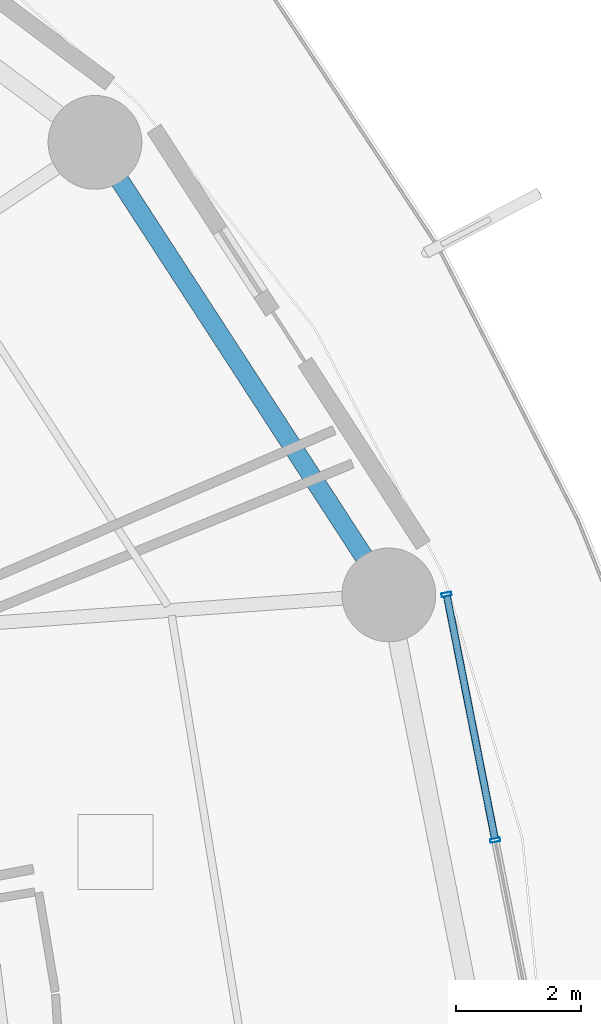
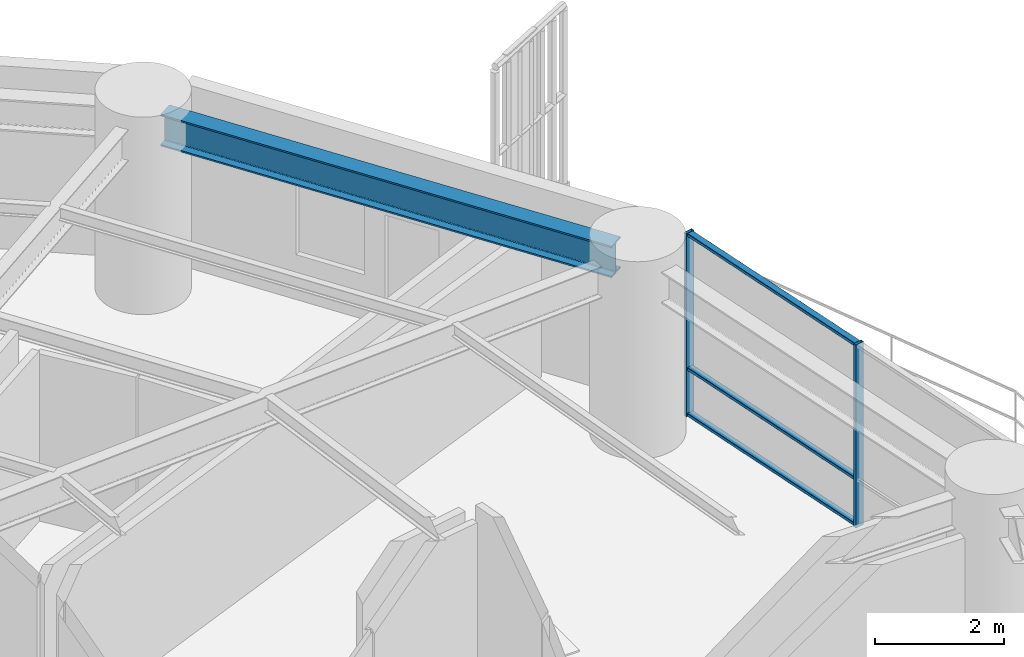
# One storey, part 20 of 33: 5 members, 1 beam, 1 element without a shape of its own.
"""IFC4 building model written with IfcOpenShell, lengths in metres."""

from ifc_helpers import new_model, si_unit, direction, frame, origin, origin_2d, place, context, subcontext, project, spatial, hollow_rectangle, i_section, extrude, material, layer, layer_set, material_profile, profile_set, type_object, element, aggregate, save


model = new_model("IFC4")

# Units and contexts
model_context = context("Model", 3, precision=1e-05, world=origin(), true_north=direction((0.0, 1.0)))
body_context = subcontext(model_context, "Body", "Model", "MODEL_VIEW")
ifc_project = project(units=[si_unit("LENGTHUNIT", "METRE"), si_unit("AREAUNIT", "SQUARE_METRE"), si_unit("VOLUMEUNIT", "CUBIC_METRE"), si_unit("PLANEANGLEUNIT", "RADIAN"), si_unit("MASSUNIT", "GRAM", prefix="KILO")], contexts=[model_context])

# Site, building, storey
site_placement = place(None, origin())
site = spatial("IfcSite", under=ifc_project, at=site_placement, CompositionType="ELEMENT")
building_placement = place(site_placement, origin())
building = spatial("IfcBuilding", under=site, at=building_placement, Name="Kelanora Arch Commons", CompositionType="ELEMENT")
storey_placement = place(building_placement, frame((0.0, 0.0, 26.25)))
storey = spatial("IfcBuildingStorey", under=building, at=storey_placement, Name="L06", CompositionType="ELEMENT", Elevation=26.25)

# Beam
ifc_material_1 = material(Name="Steel S355", Category="steel")
ifc_material_profile_1 = material_profile(ifc_material_1, i_section(OverallWidth=0.300048828125, OverallDepth=0.60009765625, WebThickness=0.015380859375, FlangeThickness=0.030029296875, FilletRadius=0.027099609375, at=origin_2d()), Name="HEB600")
ifc_profile_set_1 = profile_set([ifc_material_profile_1], Name="Steel S355")
beam_type = type_object("IfcBeamType", Name="BM-SPN-Z1", PredefinedType="SPANDREL", material=ifc_profile_set_1)
beam_placement = place(storey_placement, frame((99.239990234375, 66.554443359375, 3.18994140625), z_axis=(-0.54455786519, 0.838723274662, 0.0), x_axis=(-0.838723274662, -0.54455786519, 0.0)))
element("IfcBeam", 1, at=beam_placement, inside=storey, type_object=beam_type, Name="Perimeter Spandrel Beam BS-02 L06", PredefinedType="SPANDREL", context=body_context, shape_type="SweptSolid", body=[
    extrude(i_section(OverallWidth=0.300048828125, OverallDepth=0.60009765625, WebThickness=0.015380859375, FlangeThickness=0.030029296875, FilletRadius=0.027099609375, at=origin_2d()), origin(), (0.0, 0.0, 1.0), 7.875244140625),
])

# Curtain wall, members
ifc_material_2 = material(Name="Terracotta ceramic-fritted low-E glass and aluminium", Category="masonry")
ifc_layer = layer(ifc_material_2, 0.159912109375)
ifc_layer_set = layer_set([ifc_layer], Name="Terracotta ceramic-fritted low-E glass and aluminium")
curtain_wall_type = type_object("IfcCurtainWallType", Name="CW-SYS-01", PredefinedType="NOTDEFINED", material=ifc_layer_set)
curtain_wall_placement = place(storey_placement, origin())
curtain_wall = element("IfcCurtainWall", 2, at=curtain_wall_placement, inside=storey, type_object=curtain_wall_type, Name="Unitised Curtain Wall L06-B00", PredefinedType="NOTDEFINED")
ifc_material_3 = material(Name="Powder-coated aluminium terracotta", Category="masonry")
ifc_material_profile_2 = material_profile(ifc_material_3, hollow_rectangle(XDim=0.159912109375, YDim=0.06005859375, WallThickness=0.0048828125, InnerFilletRadius=0.0048828125, OuterFilletRadius=0.010009765625, at=origin_2d()), Name="CWM160x60")
ifc_profile_set_2 = profile_set([ifc_material_profile_2], Name="Powder-coated aluminium terracotta")
member_type_1 = type_object("IfcMemberType", Name="CWM-STD", PredefinedType="MULLION", material=ifc_profile_set_2)
member_1_placement = place(storey_placement, frame((101.1484375, 62.3115234375, 0.0), z_axis=(0.0, 0.0, 1.0), x_axis=(-0.981052110579, -0.193744048498, 0.0)))
member_1 = element("IfcMember", 3, at=member_1_placement, type_object=member_type_1, Name="CW-01 mullion 2", PredefinedType="MULLION", context=body_context, shape_type="SweptSolid", body=[
    extrude(hollow_rectangle(XDim=0.159912109375, YDim=0.06005859375, WallThickness=0.0048828125, InnerFilletRadius=0.0048828125, OuterFilletRadius=0.010009765625, at=origin_2d()), origin(), (0.0, 0.0, 1.0), 3.47509765625),
])
member_2_placement = place(storey_placement, frame((100.371826171875, 66.243896484375, 0.0), z_axis=(0.0, 0.0, 1.0), x_axis=(-0.981052110579, -0.193744048498, 0.0)))
member_2 = element("IfcMember", 4, at=member_2_placement, type_object=member_type_1, Name="CW-01 mullion 3", PredefinedType="MULLION", context=body_context, shape_type="SweptSolid", body=[
    extrude(hollow_rectangle(XDim=0.159912109375, YDim=0.06005859375, WallThickness=0.0048828125, InnerFilletRadius=0.0048828125, OuterFilletRadius=0.010009765625, at=origin_2d()), origin(), (0.0, 0.0, 1.0), 3.47509765625),
])
ifc_material_profile_3 = material_profile(ifc_material_3, hollow_rectangle(XDim=0.1201171875, YDim=0.06005859375, WallThickness=0.0048828125, InnerFilletRadius=0.0048828125, OuterFilletRadius=0.010009765625, at=origin_2d()), Name="CWT120x60")
ifc_profile_set_3 = profile_set([ifc_material_profile_3], Name="Powder-coated aluminium terracotta")
member_type_2 = type_object("IfcMemberType", Name="CWT-STD", PredefinedType="USERDEFINED", material=ifc_profile_set_3)
member_3_placement = place(storey_placement, frame((101.142578125, 62.3408203125, 0.030029296875), z_axis=(-0.193725436624, 0.98105578598, 0.0), x_axis=(-0.98105578598, -0.193725436624, 0.0)))
member_3 = element("IfcMember", 5, at=member_3_placement, type_object=member_type_2, Name="CW-01 transom 2.1", ObjectType="TRANSOM", PredefinedType="USERDEFINED", context=body_context, shape_type="SweptSolid", body=[
    extrude(hollow_rectangle(XDim=0.1201171875, YDim=0.06005859375, WallThickness=0.0048828125, InnerFilletRadius=0.0048828125, OuterFilletRadius=0.010009765625, at=origin_2d()), origin(), (0.0, 0.0, 1.0), 3.9482421875),
])
member_4_placement = place(storey_placement, frame((101.142578125, 62.3408203125, 0.89990234375), z_axis=(-0.193725436624, 0.98105578598, 0.0), x_axis=(-0.98105578598, -0.193725436624, 0.0)))
member_4 = element("IfcMember", 6, at=member_4_placement, type_object=member_type_2, Name="CW-01 transom 2.2", ObjectType="TRANSOM", PredefinedType="USERDEFINED", context=body_context, shape_type="SweptSolid", body=[
    extrude(hollow_rectangle(XDim=0.1201171875, YDim=0.06005859375, WallThickness=0.0048828125, InnerFilletRadius=0.0048828125, OuterFilletRadius=0.010009765625, at=origin_2d()), origin(), (0.0, 0.0, 1.0), 3.9482421875),
])
member_5_placement = place(storey_placement, frame((101.142578125, 62.3408203125, 3.445068359375), z_axis=(-0.193725436624, 0.98105578598, 0.0), x_axis=(-0.98105578598, -0.193725436624, 0.0)))
member_5 = element("IfcMember", 7, at=member_5_placement, type_object=member_type_2, Name="CW-01 transom 2.3", ObjectType="TRANSOM", PredefinedType="USERDEFINED", context=body_context, shape_type="SweptSolid", body=[
    extrude(hollow_rectangle(XDim=0.1201171875, YDim=0.06005859375, WallThickness=0.0048828125, InnerFilletRadius=0.0048828125, OuterFilletRadius=0.010009765625, at=origin_2d()), origin(), (0.0, 0.0, 1.0), 3.9482421875),
])
aggregate(curtain_wall, [member_1, member_2, member_3, member_4, member_5])

save(model, "model.ifc")
